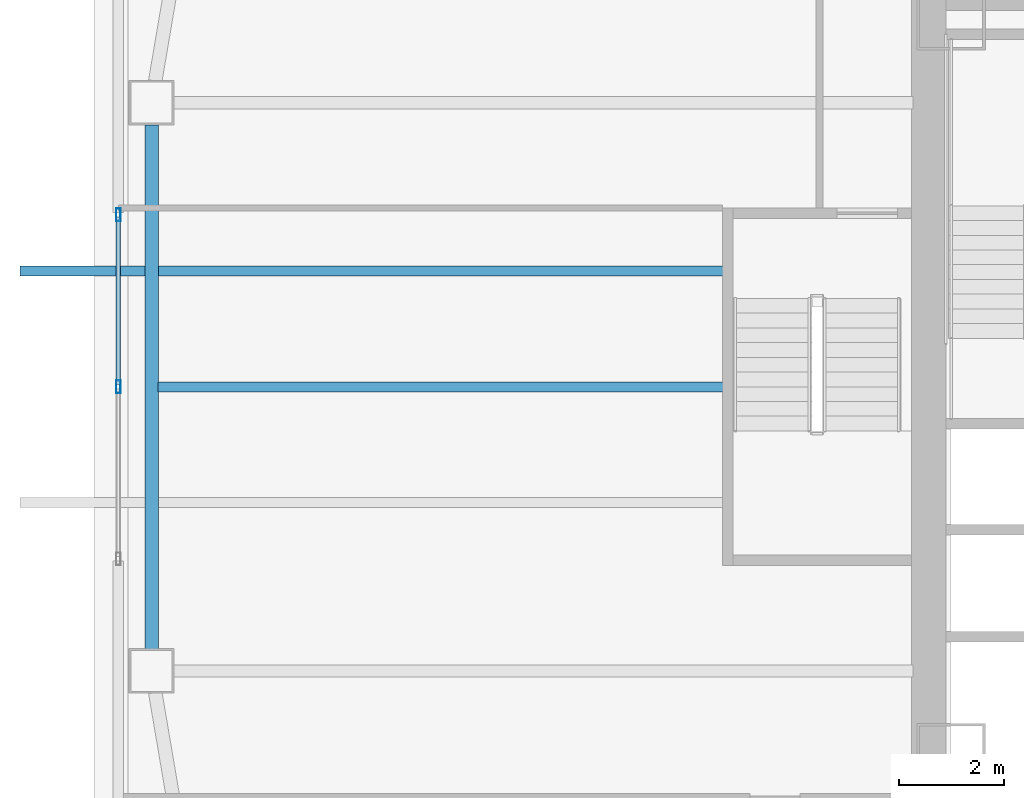
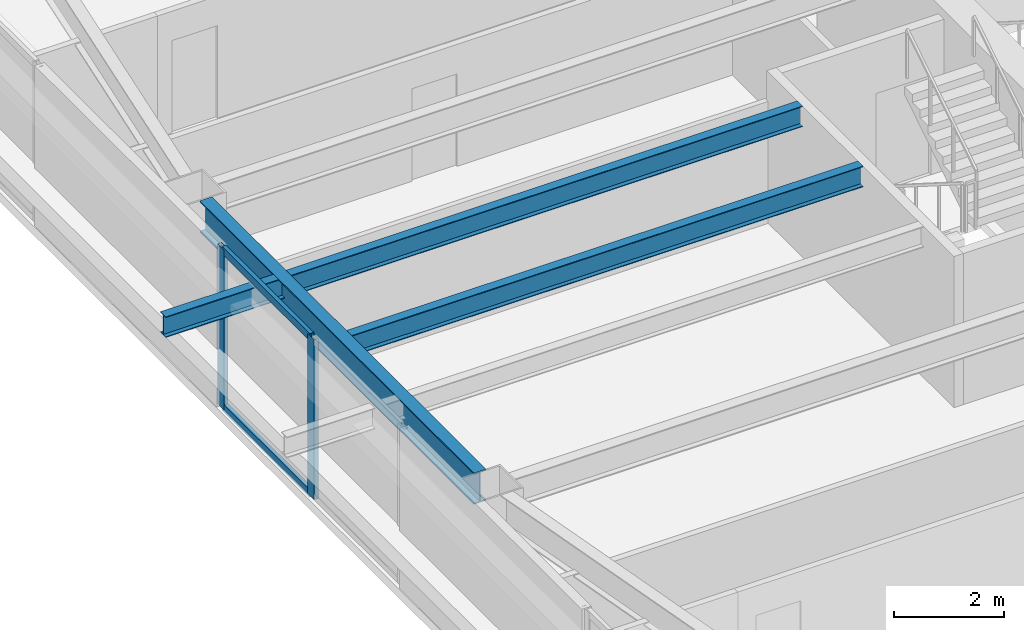
# One storey, part 6 of 46: 4 members, 3 beams, 1 element without a shape of its own.
"""IFC4 building model written with IfcOpenShell, lengths in metres."""

from ifc_helpers import new_model, si_unit, direction, frame, origin, origin_2d, place, context, subcontext, project, spatial, hollow_rectangle, i_section, extrude, material, material_profile, profile_set, type_object, element, aggregate, save


model = new_model("IFC4")

# Units and contexts
model_context = context("Model", 3, precision=1e-05, world=origin(), true_north=direction((0.0, 1.0)))
body_context = subcontext(model_context, "Body", "Model", "MODEL_VIEW")
ifc_project = project(units=[si_unit("LENGTHUNIT", "METRE"), si_unit("AREAUNIT", "SQUARE_METRE"), si_unit("VOLUMEUNIT", "CUBIC_METRE"), si_unit("PLANEANGLEUNIT", "RADIAN"), si_unit("MASSUNIT", "GRAM", prefix="KILO")], contexts=[model_context])

# Site, building, storey
site_placement = place(None, origin())
site = spatial("IfcSite", under=ifc_project, at=site_placement, CompositionType="ELEMENT")
building_placement = place(site_placement, origin())
building = spatial("IfcBuilding", under=site, at=building_placement, Name="Tashvorn Skyway Center", CompositionType="ELEMENT")
storey_placement = place(building_placement, frame((0.0, 0.0, 38.800048828125)))
storey = spatial("IfcBuildingStorey", under=building, at=storey_placement, Name="L09", CompositionType="ELEMENT", Elevation=38.800048828125)

# Beams
ifc_material_1 = material(Name="Steel ASTM A992 Grade 50", Category="steel")
ifc_material_profile_1 = material_profile(ifc_material_1, i_section(OverallWidth=0.19091796875, OverallDepth=0.4599609375, WebThickness=0.010009765625, FlangeThickness=0.01611328125, at=origin_2d()), Name="W18X55")
ifc_profile_set_1 = profile_set([ifc_material_profile_1], Name="Steel ASTM A992 Grade 50")
beam_type_1 = type_object("IfcBeamType", Name="BM-JOIST-W18X55", PredefinedType="JOIST", material=ifc_profile_set_1)
beam_1_placement = place(storey_placement, frame((30.610107421875, 32.0, 3.119873046875), z_axis=(-1.0, 0.0, 0.0), x_axis=(0.0, -1.0, 0.0)))
element("IfcBeam", 1, at=beam_1_placement, inside=storey, type_object=beam_type_1, Name="Tower 1 L09 Secondary Composite Joist JW", PredefinedType="JOIST", context=body_context, shape_type="SweptSolid", body=[
    extrude(i_section(OverallWidth=0.19091796875, OverallDepth=0.4599609375, WebThickness=0.010009765625, FlangeThickness=0.01611328125, at=origin_2d()), origin(), (0.0, 0.0, 1.0), 10.739990234375),
])
beam_2_placement = place(storey_placement, frame((30.610107421875, 34.199951171875, 3.119873046875), z_axis=(-1.0, 0.0, 0.0), x_axis=(0.0, -1.0, 0.0)))
element("IfcBeam", 2, at=beam_2_placement, inside=storey, type_object=beam_type_1, Name="Tower 1 L10 Terrace Cantilever Outlooker 2", PredefinedType="JOIST", context=body_context, shape_type="SweptSolid", body=[
    extrude(i_section(OverallWidth=0.19091796875, OverallDepth=0.4599609375, WebThickness=0.010009765625, FlangeThickness=0.01611328125, at=origin_2d()), origin(), (0.0, 0.0, 1.0), 13.360107421875),
])
ifc_material_profile_2 = material_profile(ifc_material_1, i_section(OverallWidth=0.256103515625, OverallDepth=0.693115234375, WebThickness=0.014404296875, FlangeThickness=0.023681640625, at=origin_2d()), Name="W27X114")
ifc_profile_set_2 = profile_set([ifc_material_profile_2], Name="Steel ASTM A992 Grade 50")
beam_type_2 = type_object("IfcBeamType", Name="BM-SPANDREL-W27X114", PredefinedType="SPANDREL", material=ifc_profile_set_2)
beam_3_placement = place(storey_placement, frame((19.75, 36.97998046875, 3.00341796875), z_axis=(0.0, -1.0, 0.0), x_axis=(1.0, 0.0, 0.0)))
element("IfcBeam", 3, at=beam_3_placement, inside=storey, type_object=beam_type_2, Name="Tower 1 L09 Spandrel Beam 11", PredefinedType="SPANDREL", context=body_context, shape_type="SweptSolid", body=[
    extrude(i_section(OverallWidth=0.256103515625, OverallDepth=0.693115234375, WebThickness=0.014404296875, FlangeThickness=0.023681640625, at=origin_2d()), origin(), (0.0, 0.0, 1.0), 9.9599609375),
])

# Curtain wall, members
ifc_material_2 = material(Name="Thermally broken bronze-anodized aluminium 6063-T6", Category="aluminium")
curtain_wall_type = type_object("IfcCurtainWallType", Name="CW-CW-Z1", PredefinedType="NOTDEFINED", material=ifc_material_2)
curtain_wall_placement = place(storey_placement, origin())
curtain_wall = element("IfcCurtainWall", 4, at=curtain_wall_placement, inside=storey, type_object=curtain_wall_type, Name="Tower 1 L09 West Unitised Curtain Wall Glazing Group 2", PredefinedType="NOTDEFINED")
ifc_material_profile_3 = material_profile(ifc_material_2, hollow_rectangle(XDim=0.0849609375, YDim=0.239990234375, WallThickness=0.0048828125, at=origin_2d()), Name="ALU-MULL-85x240")
ifc_profile_set_3 = profile_set([ifc_material_profile_3], Name="Thermally broken bronze-anodized aluminium 6063-T6")
member_type_1 = type_object("IfcMemberType", Name="CWM-CW-Z1", PredefinedType="MULLION", material=ifc_profile_set_3)
member_1_placement = place(storey_placement, frame((19.1201171875, 32.0, 0.0), z_axis=(0.0, 0.0, 1.0), x_axis=(-1.0, 0.0, 0.0)))
member_1 = element("IfcMember", 5, at=member_1_placement, type_object=member_type_1, Name="CW-Z1 mullion 2", PredefinedType="MULLION", context=body_context, shape_type="SweptSolid", body=[
    extrude(hollow_rectangle(XDim=0.0849609375, YDim=0.239990234375, WallThickness=0.0048828125, at=origin_2d()), origin(), (0.0, 0.0, 1.0), 3.550048828125),
])
member_2_placement = place(storey_placement, frame((19.1201171875, 35.270751953125, 0.0), z_axis=(0.0, 0.0, 1.0), x_axis=(-1.0, 0.0, 0.0)))
member_2 = element("IfcMember", 6, at=member_2_placement, type_object=member_type_1, Name="CW-Z1 mullion 3", PredefinedType="MULLION", context=body_context, shape_type="SweptSolid", body=[
    extrude(hollow_rectangle(XDim=0.0849609375, YDim=0.239990234375, WallThickness=0.0048828125, at=origin_2d()), origin(), (0.0, 0.0, 1.0), 3.550048828125),
])
ifc_material_profile_4 = material_profile(ifc_material_2, hollow_rectangle(XDim=0.0849609375, YDim=0.1650390625, WallThickness=0.0048828125, at=origin_2d()), Name="ALU-TRAN-85x165")
ifc_profile_set_4 = profile_set([ifc_material_profile_4], Name="Thermally broken bronze-anodized aluminium 6063-T6")
member_type_2 = type_object("IfcMemberType", Name="CWT-CW-Z1", PredefinedType="USERDEFINED", material=ifc_profile_set_4)
member_3_placement = place(storey_placement, frame((19.1201171875, 32.04248046875, 0.04248046875), z_axis=(0.0, 1.0, 0.0), x_axis=(-1.0, 0.0, 0.0)))
member_3 = element("IfcMember", 7, at=member_3_placement, type_object=member_type_2, Name="CW-Z1 transom 2.1", ObjectType="TRANSOM", PredefinedType="USERDEFINED", context=body_context, shape_type="SweptSolid", body=[
    extrude(hollow_rectangle(XDim=0.0849609375, YDim=0.1650390625, WallThickness=0.0048828125, at=origin_2d()), origin(), (0.0, 0.0, 1.0), 3.185791015625),
])
member_4_placement = place(storey_placement, frame((19.1201171875, 32.04248046875, 3.507568359375), z_axis=(0.0, 1.0, 0.0), x_axis=(-1.0, 0.0, 0.0)))
member_4 = element("IfcMember", 8, at=member_4_placement, type_object=member_type_2, Name="CW-Z1 transom 2.2", ObjectType="TRANSOM", PredefinedType="USERDEFINED", context=body_context, shape_type="SweptSolid", body=[
    extrude(hollow_rectangle(XDim=0.0849609375, YDim=0.1650390625, WallThickness=0.0048828125, at=origin_2d()), origin(), (0.0, 0.0, 1.0), 3.185791015625),
])
aggregate(curtain_wall, [member_1, member_2, member_3, member_4])

save(model, "model.ifc")
